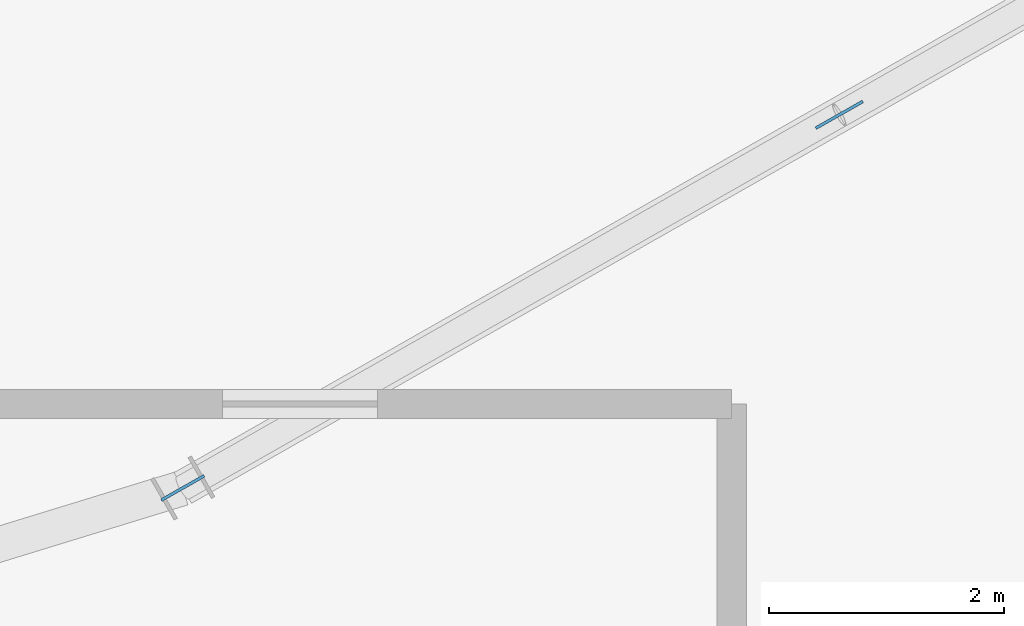
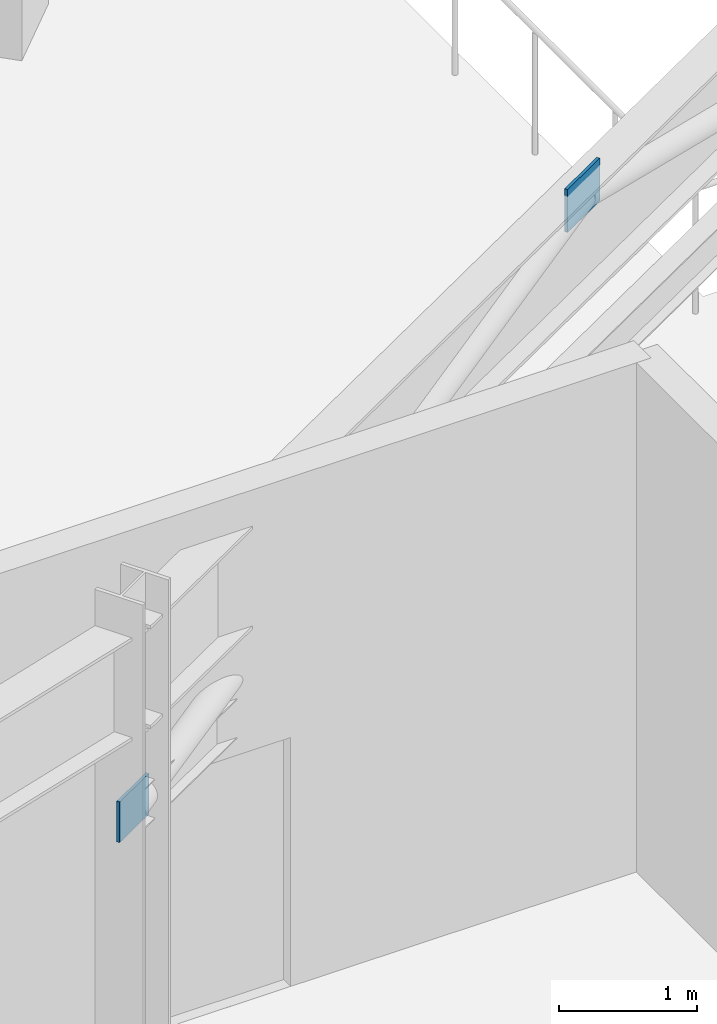
# One storey, part 80 of 123: 2 plates.
"""IFC4 building model written with IfcOpenShell, lengths in metres."""

from ifc_helpers import new_model, si_unit, direction, frame, origin, origin_2d, place, context, subcontext, project, spatial, rectangle, extrude, material, layer, layer_set, type_object, element, save


model = new_model("IFC4")

# Units and contexts
model_context = context("Model", 3, precision=1e-05, world=origin(), true_north=direction((0.0, 1.0)))
body_context = subcontext(model_context, "Body", "Model", "MODEL_VIEW")
ifc_project = project(units=[si_unit("LENGTHUNIT", "METRE"), si_unit("AREAUNIT", "SQUARE_METRE"), si_unit("VOLUMEUNIT", "CUBIC_METRE"), si_unit("PLANEANGLEUNIT", "RADIAN"), si_unit("MASSUNIT", "GRAM", prefix="KILO")], contexts=[model_context])

# Site, building, storey
site_placement = place(None, origin())
site = spatial("IfcSite", under=ifc_project, at=site_placement, CompositionType="ELEMENT")
building_placement = place(site_placement, origin())
building = spatial("IfcBuilding", under=site, at=building_placement, Name="Kalgoora Escarpment Arena", CompositionType="ELEMENT")
storey_placement = place(building_placement, frame((0.0, 0.0, 9.89990234375)))
storey = spatial("IfcBuildingStorey", under=building, at=storey_placement, Name="L02", CompositionType="ELEMENT", Elevation=9.89990234375)

# Plates
ifc_material = material(Name="Structural steel Grade 350 (350 MPa)", Category="steel")
ifc_layer = layer(ifc_material, 0.02490234375)
ifc_layer_set = layer_set([ifc_layer], Name="PLT-GUSSET-25")
plate_type = type_object("IfcPlateType", Name="PLT-GUSSET-25", PredefinedType="USERDEFINED", material=ifc_layer_set)
plate_1_placement = place(storey_placement, frame((124.991943359375, 32.537353515625, 3.860107421875), z_axis=(0.0, 0.0, 1.0), x_axis=(0.869408707144, 0.494093614554, 0.0)))
element("IfcPlate", 1, at=plate_1_placement, inside=storey, type_object=plate_type, Name="L02 chevron gusset cap plate R21", ObjectType="FLANGE PLATE", PredefinedType="USERDEFINED", context=body_context, shape_type="SweptSolid", body=[
    extrude(rectangle(XDim=0.4599609375, YDim=0.02490234375, at=origin_2d()), origin(), (0.0, 0.0, 1.0), 0.3798828125),
])
plate_2_placement = place(storey_placement, frame((119.39990234375, 29.35888671875, 2.33984375), z_axis=(0.0, 0.0, 1.0), x_axis=(0.869494929505, 0.493941866584, 0.0)))
element("IfcPlate", 2, at=plate_2_placement, inside=storey, type_object=plate_type, Name="Brace and post end gusset plate 023", ObjectType="FLANGE PLATE", PredefinedType="USERDEFINED", context=body_context, shape_type="SweptSolid", body=[
    extrude(rectangle(XDim=0.419921875, YDim=0.02490234375, at=origin_2d()), origin(), (0.0, 0.0, 1.0), 0.360107421875),
])

save(model, "model.ifc")
